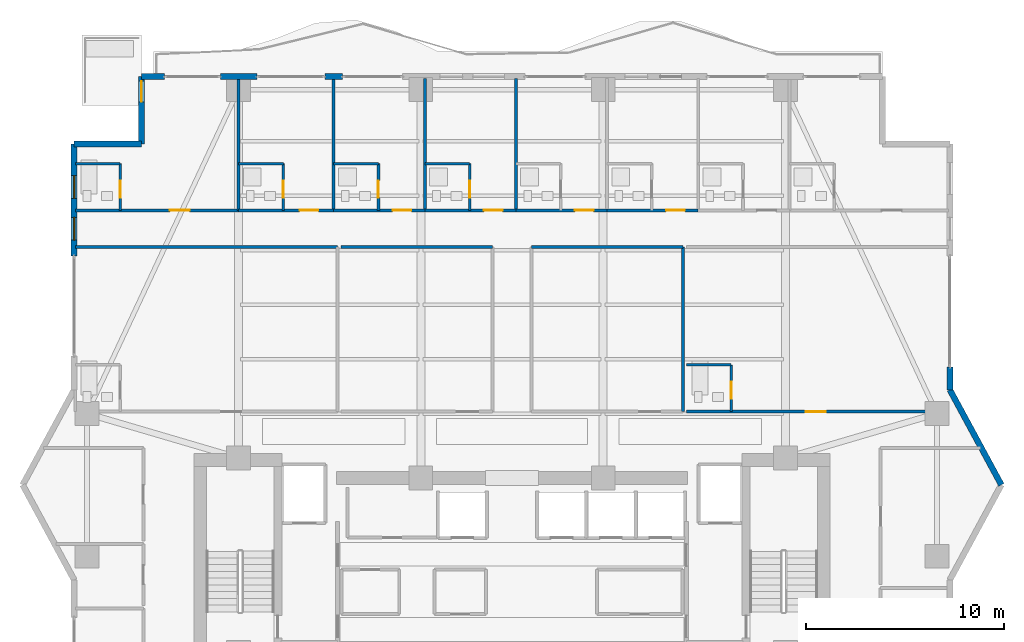
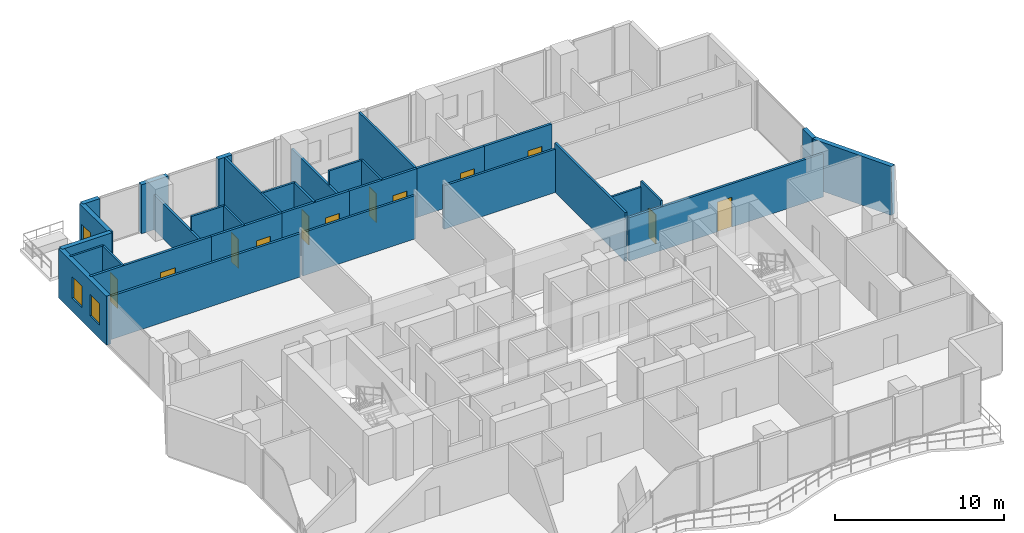
# One storey, part 27 of 32: 33 walls, 13 doors, 2 windows, 15 openings.
"""IFC4 building model written with IfcOpenShell, lengths in metres."""

import ifcopenshell
import ifcopenshell.guid

model = None  # the IFC model being written
_history = None  # IfcOwnerHistory: only IFC2X3 demands one
_inside = {}  # id of a spatial element -> (the spatial element, [elements in it])
_under = {}  # id of a project, library or spatial element -> (it, [spatial elements below it])
_declared = {}  # id of a project -> (the project, [libraries it declares])
_typed = {}  # id of a type object -> (the type object, [elements of that type])
_made_of = {}  # id of a material, layer set ... -> (it, [elements and type objects made of it])


def new_model(schema):
    """Start an empty IFC model of exactly this schema.

    Asked for "IFC4X3", IfcOpenShell would pick the latest addendum, in which some entities
    have other attributes; the version numbers below select the first issue.
    IFC2X3 requires an IfcOwnerHistory on every rooted entity: one is made here for all.
    """
    global model, _history
    if schema == "IFC4X3":
        model = ifcopenshell.file(schema_version=(4, 3, 0, 0))
    else:
        model = ifcopenshell.file(schema=schema)
    _inside.clear()
    _under.clear()
    _declared.clear()
    _typed.clear()
    _made_of.clear()
    _history = None
    if model.schema == "IFC2X3":
        org = make("IfcOrganization", Name="unknown")
        user = make(
            "IfcPersonAndOrganization",
            ThePerson=make("IfcPerson", FamilyName="unknown"),
            TheOrganization=org,
        )
        app = make(
            "IfcApplication",
            ApplicationDeveloper=org,
            Version="unknown",
            ApplicationFullName="unknown",
            ApplicationIdentifier="unknown",
        )
        _history = make(
            "IfcOwnerHistory",
            OwningUser=user,
            OwningApplication=app,
            ChangeAction="ADDED",
            CreationDate=0,
        )
    return model


def make(cls, **values):
    """One entity of the class cls with the attributes given. An attribute that is None is left unset."""
    return model.create_entity(
        cls, **{name: value for name, value in values.items() if value is not None}
    )


def rooted(cls, **values):
    """An entity with a GlobalId (a new one), such as an element, a storey or a relation."""
    return make(cls, GlobalId=ifcopenshell.guid.new(), OwnerHistory=_history, **values)


def si_unit(unit_type, name, prefix=None):
    """IfcSIUnit, for example si_unit("LENGTHUNIT", "METRE", prefix="MILLI")."""
    return make("IfcSIUnit", UnitType=unit_type, Prefix=prefix, Name=name)


def assignment(units):
    """IfcUnitAssignment: the units of a project."""
    return None if units is None else make("IfcUnitAssignment", Units=units)


def point(xyz):
    """IfcCartesianPoint."""
    return None if xyz is None else make("IfcCartesianPoint", Coordinates=xyz)


def direction(xyz):
    """IfcDirection."""
    return None if xyz is None else make("IfcDirection", DirectionRatios=xyz)


def frame(location, z_axis=None, x_axis=None):
    """IfcAxis2Placement3D, a coordinate frame: its origin and axes. An axis left out is left unset."""
    return make(
        "IfcAxis2Placement3D",
        Location=point(location),
        Axis=direction(z_axis),
        RefDirection=direction(x_axis),
    )


def frame_2d(location, x_axis=None):
    """IfcAxis2Placement2D, a coordinate frame in the plane: its origin and x axis."""
    return make(
        "IfcAxis2Placement2D", Location=point(location), RefDirection=direction(x_axis)
    )


def origin():
    """The frame at (0, 0, 0) with its axes left unset."""
    return frame((0.0, 0.0, 0.0))


def place(relative_to, where):
    """IfcLocalPlacement: puts the frame where relative to a parent placement (None: the world)."""
    return make(
        "IfcLocalPlacement", PlacementRelTo=relative_to, RelativePlacement=where
    )


def context(
    kind, dimensions, precision=None, world=None, true_north=None, identifier=None
):
    """IfcGeometricRepresentationContext, for example the 3D "Model" context."""
    return make(
        "IfcGeometricRepresentationContext",
        ContextIdentifier=identifier,
        ContextType=kind,
        CoordinateSpaceDimension=dimensions,
        Precision=precision,
        WorldCoordinateSystem=world,
        TrueNorth=true_north,
    )


def subcontext(parent, identifier, kind, view, scale=None):
    """IfcGeometricRepresentationSubContext, for example "Body" below "Model"."""
    return make(
        "IfcGeometricRepresentationSubContext",
        ContextIdentifier=identifier,
        ContextType=kind,
        ParentContext=parent,
        TargetScale=scale,
        TargetView=view,
    )


def project(units=None, contexts=None):
    """IfcProject with its units and contexts."""
    return rooted(
        "IfcProject",
        Name="project",
        RepresentationContexts=contexts,
        UnitsInContext=assignment(units),
    )


def spatial(cls, under=None, at=None, **own):
    """A site, building, storey or space (cls), placed at a placement, below another one or the project."""
    s = rooted(cls, ObjectPlacement=at, **own)
    if under is not None:
        _under.setdefault(under.id(), (under, []))[1].append(s)
    return s


def profile(cls, at=None, kind="AREA", **sizes):
    """A parametric profile (cls). Its sizes go by their IFC names, for example OverallWidth=200.0."""
    return make(cls, ProfileType=kind, Position=at, **sizes)


def rectangle(**sizes):
    """IfcRectangleProfileDef."""
    return profile("IfcRectangleProfileDef", **sizes)


def extrude(swept, where, along, depth):
    """IfcExtrudedAreaSolid: the profile swept, set in the frame where, extruded along a direction by depth."""
    return make(
        "IfcExtrudedAreaSolid",
        SweptArea=swept,
        Position=where,
        ExtrudedDirection=direction(along),
        Depth=depth,
    )


def shape(context_of_items, identifier, shape_type, items):
    """IfcShapeRepresentation: the items that make up one representation, for example the "Body"."""
    return make(
        "IfcShapeRepresentation",
        ContextOfItems=context_of_items,
        RepresentationIdentifier=identifier,
        RepresentationType=shape_type,
        Items=items,
    )


def material(Name=None, Category=None):
    """IfcMaterial."""
    return make("IfcMaterial", Name=Name, Category=Category)


def layer(
    of_material, thickness, ventilated=None, Name=None, Category=None, Priority=None
):
    """IfcMaterialLayer: one layer of a wall or slab, of a material (None: an air gap)."""
    return make(
        "IfcMaterialLayer",
        Material=of_material,
        LayerThickness=thickness,
        IsVentilated=ventilated,
        Name=Name,
        Category=Category,
        Priority=Priority,
    )


def layer_set(layers, Name=None):
    """IfcMaterialLayerSet."""
    return make("IfcMaterialLayerSet", MaterialLayers=layers, LayerSetName=Name)


def made_of(thing, what):
    """Note that an element or type object is made of a material, layer set ...; save() writes the relation."""
    if what is not None:
        _made_of.setdefault(what.id(), (what, []))[1].append(thing)
    return thing


def type_object(cls, material=None, **own):
    """A type object (cls), such as IfcWallType, which elements share."""
    return made_of(rooted(cls, **own), material)


def element(
    cls,
    number,
    at=None,
    inside=None,
    cuts=None,
    type_object=None,
    material=None,
    context=None,
    identifier="Body",
    shape_type=None,
    held_by="IfcProductDefinitionShape",
    body=None,
    shapes=None,
    **own,
):
    """One element of the class cls, such as IfcWall. Its Tag is "e" and its number.

    at: its placement. inside: the storey or other place that contains it. cuts: it is an
    opening in that element (IfcRelVoidsElement). A single representation is given by context,
    identifier, shape_type and body (its items); several are given by shapes. held_by: the class
    of the entity that holds the representations. save() writes the other relations.
    """
    e = rooted(cls, Tag="e%d" % number, ObjectPlacement=at, **own)
    if body is not None:
        shapes = [shape(context, identifier, shape_type, body)]
    if shapes is not None:
        e.Representation = make(held_by, Representations=shapes)
    if inside is not None:
        _inside.setdefault(inside.id(), (inside, []))[1].append(e)
    if cuts is not None:
        rooted(
            "IfcRelVoidsElement", RelatingBuildingElement=cuts, RelatedOpeningElement=e
        )
    if type_object is not None:
        _typed.setdefault(type_object.id(), (type_object, []))[1].append(e)
    return made_of(e, material)


def fill(opening, filler):
    """IfcRelFillsElement: the door or window that sits in an opening."""
    return rooted(
        "IfcRelFillsElement",
        RelatingOpeningElement=opening,
        RelatedBuildingElement=filler,
    )


def aggregate(whole, parts):
    """IfcRelAggregates: a whole, such as a stair, and the parts it consists of."""
    return rooted("IfcRelAggregates", RelatingObject=whole, RelatedObjects=parts)


def save(model, path):
    """Write the relations noted so far, then the file.

    IfcRelAggregates (storeys below a building ...), IfcRelContainedInSpatialStructure (elements
    in a storey), IfcRelDefinesByType, IfcRelAssociatesMaterial and IfcRelDeclares: one each for
    every whole, place, type object, material and project.
    """
    for whole, parts in _under.values():
        aggregate(whole, parts)
    for where, things in _inside.values():
        rooted(
            "IfcRelContainedInSpatialStructure",
            RelatedElements=things,
            RelatingStructure=where,
        )
    for kind, things in _typed.values():
        rooted("IfcRelDefinesByType", RelatedObjects=things, RelatingType=kind)
    for what, things in _made_of.values():
        rooted("IfcRelAssociatesMaterial", RelatedObjects=things, RelatingMaterial=what)
    for by, libraries in _declared.values():
        rooted("IfcRelDeclares", RelatingContext=by, RelatedDefinitions=libraries)
    model.write(path)


model = new_model("IFC4")

# Units and contexts
model_context = context("Model", 3, precision=1e-05, world=origin(), true_north=direction((0.0, 1.0)))
body_context = subcontext(model_context, "Body", "Model", "MODEL_VIEW")
ifc_project = project(units=[si_unit("LENGTHUNIT", "METRE"), si_unit("AREAUNIT", "SQUARE_METRE"), si_unit("VOLUMEUNIT", "CUBIC_METRE"), si_unit("PLANEANGLEUNIT", "RADIAN"), si_unit("MASSUNIT", "GRAM", prefix="KILO")], contexts=[model_context])

# Site, building, storey
site_placement = place(None, origin())
site = spatial("IfcSite", under=ifc_project, at=site_placement, CompositionType="ELEMENT")
building_placement = place(site_placement, origin())
building = spatial("IfcBuilding", under=site, at=building_placement, Name="Zuhayl Quay Hotel", CompositionType="ELEMENT")
storey_placement = place(building_placement, frame((0.0, 0.0, 226.14990234375)))
storey = spatial("IfcBuildingStorey", under=building, at=storey_placement, Name="L57", CompositionType="ELEMENT", Elevation=226.14990234375)

# Wall, openings, windows
ifc_material_1 = material(Name="Precast concrete C45/55", Category="concrete")
ifc_layer_1 = layer(ifc_material_1, 0.300048828125, Name="Precast concrete C45/55", Category="concrete")
ifc_layer_set_1 = layer_set([ifc_layer_1], Name="Precast concrete C45/55")
wall_type_1 = type_object("IfcWallType", Name="WL_EXT_300", PredefinedType="STANDARD", material=ifc_layer_set_1)
wall_1_placement = place(storey_placement, frame((-22.10009765625, 24.550048828125, 0.0), z_axis=(0.0, 0.0, 1.0), x_axis=(0.0, 1.0, 0.0)))
wall_1 = element("IfcWall", 1, at=wall_1_placement, inside=storey, type_object=wall_type_1, Name="L57 Exterior Precast Wall ENV_L57_E05_EW2", PredefinedType="STANDARD", context=body_context, shape_type="SweptSolid", body=[
    extrude(rectangle(XDim=5.64990234375, YDim=0.300048828125, at=frame_2d((2.824951171875, 0.0))), origin(), (0.0, 0.0, 1.0), 3.530029296875),
])
opening_1_placement = place(wall_1_placement, frame((0.800048828125, 0.0, 0.949951171875)))
opening_1 = element("IfcOpeningElement", 2, at=opening_1_placement, cuts=wall_1, Name="Opening W01N", PredefinedType="OPENING", context=body_context, shape_type="SweptSolid", body=[
    extrude(rectangle(XDim=1.14990234375, YDim=1.550048828125, at=frame_2d((0.574951171875, 0.77490234375))), frame((0.0, 0.159912109375, 0.0), z_axis=(0.0, -1.0, 0.0), x_axis=(1.0, 0.0, 0.0)), (0.0, 0.0, 1.0), 0.320068359375),
])
opening_2_placement = place(wall_1_placement, frame((2.905029296875, 0.0, 0.949951171875)))
opening_2 = element("IfcOpeningElement", 3, at=opening_2_placement, cuts=wall_1, Name="Opening W01N", PredefinedType="OPENING", context=body_context, shape_type="SweptSolid", body=[
    extrude(rectangle(XDim=1.14990234375, YDim=1.550048828125, at=frame_2d((0.574951171875, 0.77490234375))), frame((0.0, 0.159912109375, 0.0), z_axis=(0.0, -1.0, 0.0), x_axis=(1.0, 0.0, 0.0)), (0.0, 0.0, 1.0), 0.320068359375),
])
ifc_material_2 = material(Name="Dark Ceramic-Fritted Solar Glass", Category="glass")
window_type = type_object("IfcWindowType", Name="WN_NOTCH_1350", PartitioningType="SINGLE_PANEL", PredefinedType="WINDOW", material=ifc_material_2)
window_1_placement = place(opening_1_placement, origin())
window_1 = element("IfcWindow", 4, at=window_1_placement, inside=storey, type_object=window_type, Name="L57 Operable Facade Window 2-1", OverallHeight=1.550048828125, OverallWidth=1.14990234375, PartitioningType="SINGLE_PANEL", PredefinedType="WINDOW", context=body_context, shape_type="SweptSolid", body=[
    extrude(rectangle(XDim=1.14990234375, YDim=1.550048828125, at=frame_2d((0.574951171875, 0.77490234375))), frame((0.0, 0.030029296875, 0.0), z_axis=(0.0, -1.0, 0.0), x_axis=(1.0, 0.0, 0.0)), (0.0, 0.0, 1.0), 0.06005859375),
])
fill(opening_1, window_1)
window_2_placement = place(opening_2_placement, origin())
window_2 = element("IfcWindow", 5, at=window_2_placement, inside=storey, type_object=window_type, Name="L57 Operable Facade Window 2-2", OverallHeight=1.550048828125, OverallWidth=1.14990234375, PartitioningType="SINGLE_PANEL", PredefinedType="WINDOW", context=body_context, shape_type="SweptSolid", body=[
    extrude(rectangle(XDim=1.14990234375, YDim=1.550048828125, at=frame_2d((0.574951171875, 0.77490234375))), frame((0.0, 0.030029296875, 0.0), z_axis=(0.0, -1.0, 0.0), x_axis=(1.0, 0.0, 0.0)), (0.0, 0.0, 1.0), 0.06005859375),
])
fill(opening_2, window_2)

# Wall
wall_2_placement = place(storey_placement, frame((-22.10009765625, 30.199951171875, 0.0), z_axis=(0.0, 0.0, 1.0), x_axis=(1.0, 0.0, 0.0)))
element("IfcWall", 6, at=wall_2_placement, inside=storey, type_object=wall_type_1, Name="L57 Exterior Precast Wall ENV_L57_EW06", PredefinedType="STANDARD", context=body_context, shape_type="SweptSolid", body=[
    extrude(rectangle(XDim=3.400146484375, YDim=0.300048828125, at=frame_2d((1.7001953125, 0.0))), origin(), (0.0, 0.0, 1.0), 3.530029296875),
])

# Wall, opening, door
wall_3_placement = place(storey_placement, frame((-18.699951171875, 30.199951171875, 0.0), z_axis=(0.0, 0.0, 1.0), x_axis=(0.0, 1.0, 0.0)))
wall_3 = element("IfcWall", 7, at=wall_3_placement, inside=storey, type_object=wall_type_1, Name="L57 Exterior Precast Wall ENV_L57_SP_NW", PredefinedType="STANDARD", context=body_context, shape_type="SweptSolid", body=[
    extrude(rectangle(XDim=3.400146484375, YDim=0.300048828125, at=frame_2d((1.7001953125, 0.0))), origin(), (0.0, 0.0, 1.0), 3.530029296875),
])
opening_3_placement = place(wall_3_placement, frame((2.1298828125, 0.0, 0.0)))
opening_3 = element("IfcOpeningElement", 8, at=opening_3_placement, cuts=wall_3, Name="Opening DG1", PredefinedType="OPENING", context=body_context, shape_type="SweptSolid", body=[
    extrude(rectangle(XDim=1.050048828125, YDim=2.199951171875, at=frame_2d((0.52490234375, 1.10009765625))), frame((0.0, 0.159912109375, 0.0), z_axis=(0.0, -1.0, 0.0), x_axis=(1.0, 0.0, 0.0)), (0.0, 0.0, 1.0), 0.320068359375),
])
ifc_material_3 = material(Name="Anodised Aluminium and Dark Solar Glass", Category="aluminium")
door_type_1 = type_object("IfcDoorType", Name="DR_EXT_TERR_1050", OperationType="NOTDEFINED", PredefinedType="DOOR", material=ifc_material_3)
door_1_placement = place(opening_3_placement, origin())
door_1 = element("IfcDoor", 9, at=door_1_placement, inside=storey, type_object=door_type_1, Name="L57 Spiral Sky-Terrace NW Access Door", OperationType="SINGLE_SWING_LEFT", OverallHeight=2.199951171875, OverallWidth=1.050048828125, PredefinedType="DOOR", context=body_context, shape_type="SweptSolid", body=[
    extrude(rectangle(XDim=1.050048828125, YDim=2.199951171875, at=frame_2d((0.52490234375, 1.10009765625))), frame((0.0, 0.02490234375, 0.0), z_axis=(0.0, -1.0, 0.0), x_axis=(1.0, 0.0, 0.0)), (0.0, 0.0, 1.0), 0.050048828125),
])
fill(opening_3, door_1)

# Walls
wall_4_placement = place(storey_placement, frame((-18.699951171875, 33.60009765625, 0.0), z_axis=(0.0, 0.0, 1.0), x_axis=(1.0, 0.0, 0.0)))
element("IfcWall", 10, at=wall_4_placement, inside=storey, type_object=wall_type_1, Name="L57 Exterior Precast Wall ENV_L57_N_EW1", PredefinedType="STANDARD", context=body_context, shape_type="SweptSolid", body=[
    extrude(rectangle(XDim=1.14990234375, YDim=0.300048828125, at=frame_2d((0.574951171875, 0.0))), origin(), (0.0, 0.0, 1.0), 3.530029296875),
])
wall_5_placement = place(storey_placement, frame((-14.719970703125, 33.60009765625, 0.0), z_axis=(0.0, 0.0, 1.0), x_axis=(1.0, 0.0, 0.0)))
element("IfcWall", 11, at=wall_5_placement, inside=storey, type_object=wall_type_1, Name="L57 Exterior Precast Wall ENV_L57_N_EW2", PredefinedType="STANDARD", context=body_context, shape_type="SweptSolid", body=[
    extrude(rectangle(XDim=1.840087890625, YDim=0.300048828125, at=frame_2d((0.919921875, 0.0))), origin(), (0.0, 0.0, 1.0), 3.530029296875),
])
wall_6_placement = place(storey_placement, frame((-9.449951171875, 33.60009765625, 0.0), z_axis=(0.0, 0.0, 1.0), x_axis=(1.0, 0.0, 0.0)))
element("IfcWall", 12, at=wall_6_placement, inside=storey, type_object=wall_type_1, Name="L57 Exterior Precast Wall ENV_L57_N_EW3", PredefinedType="STANDARD", context=body_context, shape_type="SweptSolid", body=[
    extrude(rectangle(XDim=0.89990234375, YDim=0.300048828125, at=frame_2d((0.449951171875, 0.0))), origin(), (0.0, 0.0, 1.0), 3.530029296875),
])
wall_7_placement = place(storey_placement, frame((22.10009765625, 18.949951171875, 0.0), z_axis=(0.0, 0.0, 1.0), x_axis=(0.0, -1.0, 0.0)))
element("IfcWall", 13, at=wall_7_placement, inside=storey, type_object=wall_type_1, Name="L57 Exterior Precast Wall ENV_L57_E11_EW2", PredefinedType="STANDARD", context=body_context, shape_type="SweptSolid", body=[
    extrude(rectangle(XDim=1.14990234375, YDim=0.300048828125, at=frame_2d((0.574951171875, 0.0))), origin(), (0.0, 0.0, 1.0), 3.530029296875),
])
wall_8_placement = place(storey_placement, frame((22.10009765625, 17.800048828125, 0.0), z_axis=(0.0, 0.0, 1.0), x_axis=(0.476258655584, -0.879305233114, 0.0)))
element("IfcWall", 14, at=wall_8_placement, inside=storey, type_object=wall_type_1, Name="L57 Exterior Precast Wall ENV_L57_EW12", PredefinedType="STANDARD", context=body_context, shape_type="SweptSolid", body=[
    extrude(rectangle(XDim=5.458984375, YDim=0.300048828125, at=frame_2d((2.7294921875, 0.0))), origin(), (0.0, 0.0, 1.0), 3.530029296875),
])
ifc_material_4 = material(Name="Acoustic Gypsum Partition STC-58")
ifc_layer_2 = layer(ifc_material_4, 0.14990234375, Name="Acoustic Gypsum Partition STC-58")
ifc_layer_set_2 = layer_set([ifc_layer_2], Name="Acoustic Gypsum Partition STC-58")
wall_type_2 = type_object("IfcWallType", Name="WL_PART_150", PredefinedType="PARTITIONING", material=ifc_layer_set_2)
wall_9_placement = place(storey_placement, frame((-13.800048828125, 26.85009765625, 0.0), z_axis=(0.0, 0.0, 1.0), x_axis=(0.0, 1.0, 0.0)))
element("IfcWall", 15, at=wall_9_placement, inside=storey, type_object=wall_type_2, Name="L57 Partition IW_L57_NU01_E", PredefinedType="PARTITIONING", context=body_context, shape_type="SweptSolid", body=[
    extrude(rectangle(XDim=6.669921875, YDim=0.14990234375, at=frame_2d((3.3349609375, 0.0))), origin(), (0.0, 0.0, 1.0), 2.51904296875),
])
wall_10_placement = place(storey_placement, frame((-9.0, 26.85009765625, 0.0), z_axis=(0.0, 0.0, 1.0), x_axis=(0.0, 1.0, 0.0)))
element("IfcWall", 16, at=wall_10_placement, inside=storey, type_object=wall_type_2, Name="L57 Partition IW_L57_NU02_E", PredefinedType="PARTITIONING", context=body_context, shape_type="SweptSolid", body=[
    extrude(rectangle(XDim=6.669921875, YDim=0.14990234375, at=frame_2d((3.3349609375, 0.0))), origin(), (0.0, 0.0, 1.0), 3.530029296875),
])
wall_11_placement = place(storey_placement, frame((-4.39990234375, 26.85009765625, 0.0), z_axis=(0.0, 0.0, 1.0), x_axis=(0.0, 1.0, 0.0)))
element("IfcWall", 17, at=wall_11_placement, inside=storey, type_object=wall_type_2, Name="L57 Partition IW_L57_NU03_E", PredefinedType="PARTITIONING", context=body_context, shape_type="SweptSolid", body=[
    extrude(rectangle(XDim=6.669921875, YDim=0.14990234375, at=frame_2d((3.3349609375, 0.0))), origin(), (0.0, 0.0, 1.0), 2.51904296875),
])
wall_12_placement = place(storey_placement, frame((0.199951171875, 26.85009765625, 0.0), z_axis=(0.0, 0.0, 1.0), x_axis=(0.0, 1.0, 0.0)))
element("IfcWall", 18, at=wall_12_placement, inside=storey, type_object=wall_type_2, Name="L57 Partition IW_L57_NU04_E", PredefinedType="PARTITIONING", context=body_context, shape_type="SweptSolid", body=[
    extrude(rectangle(XDim=6.669921875, YDim=0.14990234375, at=frame_2d((3.3349609375, 0.0))), origin(), (0.0, 0.0, 1.0), 3.530029296875),
])
for number, where, z_axis, x_axis, name in (
    (19, (-8.639892578125, 25.0, 0.0), (0.0, 0.0, 1.0), (1.0, 0.0, 0.0), "L57 Partition IW_L57_Z3_MID_W_N"),
    (20, (0.97998046875, 25.0, 0.0), (0.0, 0.0, 1.0), (1.0, 0.0, 0.0), "L57 Partition IW_L57_Z3_MID_E_N"),
):
    element("IfcWall", number, at=place(storey_placement, frame(where, z_axis=z_axis, x_axis=x_axis)), inside=storey, type_object=wall_type_2, Name=name, PredefinedType="PARTITIONING", context=body_context, shape_type="SweptSolid", body=[
        extrude(rectangle(XDim=7.659912109375, YDim=0.14990234375, at=frame_2d((3.830078125, 0.0))), origin(), (0.0, 0.0, 1.0), 3.1240234375),
    ])
wall_13_placement = place(storey_placement, frame((8.639892578125, 16.699951171875, 0.0), z_axis=(0.0, 0.0, 1.0), x_axis=(0.0, 1.0, 0.0)))
element("IfcWall", 21, at=wall_13_placement, inside=storey, type_object=wall_type_2, Name="L57 Partition IW_L57_Z3_MID_E_E", PredefinedType="PARTITIONING", context=body_context, shape_type="SweptSolid", body=[
    extrude(rectangle(XDim=8.300048828125, YDim=0.14990234375, at=frame_2d((4.14990234375, 0.0))), origin(), (0.0, 0.0, 1.0), 3.530029296875),
])

# Wall, opening, door
ifc_layer_3 = layer(ifc_material_4, 0.159912109375, Name="Acoustic Gypsum Partition STC-58")
ifc_layer_set_3 = layer_set([ifc_layer_3], Name="Acoustic Gypsum Partition STC-58")
wall_type_3 = type_object("IfcWallType", Name="WL_PART_CORR_160", PredefinedType="PARTITIONING", material=ifc_layer_set_3)
wall_14_placement = place(storey_placement, frame((-22.0400390625, 26.85009765625, 0.0), z_axis=(0.0, 0.0, 1.0), x_axis=(1.0, 0.0, 0.0)))
wall_14 = element("IfcWall", 22, at=wall_14_placement, inside=storey, type_object=wall_type_3, Name="L57 Partition IW_L57_NU01_COR", PredefinedType="PARTITIONING", context=body_context, shape_type="SweptSolid", body=[
    extrude(rectangle(XDim=8.239990234375, YDim=0.159912109375, at=frame_2d((4.1201171875, 0.0))), origin(), (0.0, 0.0, 1.0), 3.530029296875),
])
opening_4_placement = place(wall_14_placement, frame((4.77001953125, 0.0, 0.0)))
opening_4 = element("IfcOpeningElement", 23, at=opening_4_placement, cuts=wall_14, Name="Opening D03L", PredefinedType="OPENING", context=body_context, shape_type="SweptSolid", body=[
    extrude(rectangle(XDim=1.0, YDim=2.14990234375, at=frame_2d((0.5, 1.074951171875))), frame((0.0, 0.08984375, 0.0), z_axis=(0.0, -1.0, 0.0), x_axis=(1.0, 0.0, 0.0)), (0.0, 0.0, 1.0), 0.179931640625),
])
ifc_material_5 = material(Name="Solid Walnut Acoustic Fire Door")
door_type_2 = type_object("IfcDoorType", Name="DR_SUITE_1000", OperationType="NOTDEFINED", PredefinedType="DOOR", material=ifc_material_5)
door_2_placement = place(opening_4_placement, origin())
door_2 = element("IfcDoor", 24, at=door_2_placement, inside=storey, type_object=door_type_2, Name="L57 Panoramic Gulf Guest Room L57-01 Entrance Door", OperationType="SINGLE_SWING_LEFT", OverallHeight=2.14990234375, OverallWidth=1.0, PredefinedType="DOOR", context=body_context, shape_type="SweptSolid", body=[
    extrude(rectangle(XDim=1.0, YDim=2.14990234375, at=frame_2d((0.5, 1.074951171875))), frame((0.0, 0.02490234375, 0.0), z_axis=(0.0, -1.0, 0.0), x_axis=(1.0, 0.0, 0.0)), (0.0, 0.0, 1.0), 0.050048828125),
])
fill(opening_4, door_2)

wall_15_placement = place(storey_placement, frame((-13.800048828125, 26.85009765625, 0.0), z_axis=(0.0, 0.0, 1.0), x_axis=(1.0, 0.0, 0.0)))
wall_15 = element("IfcWall", 25, at=wall_15_placement, inside=storey, type_object=wall_type_3, Name="L57 Partition IW_L57_NU02_COR", PredefinedType="PARTITIONING", context=body_context, shape_type="SweptSolid", body=[
    extrude(rectangle(XDim=4.800048828125, YDim=0.159912109375, at=frame_2d((2.39990234375, 0.0))), origin(), (0.0, 0.0, 1.0), 3.530029296875),
])
opening_5_placement = place(wall_15_placement, frame((3.074951171875, 0.0, 0.0)))
opening_5 = element("IfcOpeningElement", 26, at=opening_5_placement, cuts=wall_15, Name="Opening D03", PredefinedType="OPENING", context=body_context, shape_type="SweptSolid", body=[
    extrude(rectangle(XDim=0.949951171875, YDim=2.14990234375, at=frame_2d((0.47509765625, 1.074951171875))), frame((0.0, 0.08984375, 0.0), z_axis=(0.0, -1.0, 0.0), x_axis=(1.0, 0.0, 0.0)), (0.0, 0.0, 1.0), 0.179931640625),
])
door_type_3 = type_object("IfcDoorType", Name="DR_SUITE_950", OperationType="NOTDEFINED", PredefinedType="DOOR", material=ifc_material_5)
door_3_placement = place(opening_5_placement, origin())
door_3 = element("IfcDoor", 27, at=door_3_placement, inside=storey, type_object=door_type_3, Name="L57 Panoramic Gulf Guest Room L57-02 Entrance Door", OperationType="SINGLE_SWING_LEFT", OverallHeight=2.14990234375, OverallWidth=0.949951171875, PredefinedType="DOOR", context=body_context, shape_type="SweptSolid", body=[
    extrude(rectangle(XDim=0.949951171875, YDim=2.14990234375, at=frame_2d((0.47509765625, 1.074951171875))), frame((0.0, 0.02490234375, 0.0), z_axis=(0.0, -1.0, 0.0), x_axis=(1.0, 0.0, 0.0)), (0.0, 0.0, 1.0), 0.050048828125),
])
fill(opening_5, door_3)

wall_16_placement = place(storey_placement, frame((-9.0, 26.85009765625, 0.0), z_axis=(0.0, 0.0, 1.0), x_axis=(1.0, 0.0, 0.0)))
wall_16 = element("IfcWall", 28, at=wall_16_placement, inside=storey, type_object=wall_type_3, Name="L57 Partition IW_L57_NU03_COR", PredefinedType="PARTITIONING", context=body_context, shape_type="SweptSolid", body=[
    extrude(rectangle(XDim=4.60009765625, YDim=0.159912109375, at=frame_2d((2.300048828125, 0.0))), origin(), (0.0, 0.0, 1.0), 3.530029296875),
])
opening_6_placement = place(wall_16_placement, frame((2.97509765625, 0.0, 0.0)))
opening_6 = element("IfcOpeningElement", 29, at=opening_6_placement, cuts=wall_16, Name="Opening D03", PredefinedType="OPENING", context=body_context, shape_type="SweptSolid", body=[
    extrude(rectangle(XDim=0.949951171875, YDim=2.14990234375, at=frame_2d((0.47509765625, 1.074951171875))), frame((0.0, 0.08984375, 0.0), z_axis=(0.0, -1.0, 0.0), x_axis=(1.0, 0.0, 0.0)), (0.0, 0.0, 1.0), 0.179931640625),
])
door_4_placement = place(opening_6_placement, origin())
door_4 = element("IfcDoor", 30, at=door_4_placement, inside=storey, type_object=door_type_3, Name="L57 Panoramic Gulf Guest Room L57-03 Entrance Door", OperationType="SINGLE_SWING_LEFT", OverallHeight=2.14990234375, OverallWidth=0.949951171875, PredefinedType="DOOR", context=body_context, shape_type="SweptSolid", body=[
    extrude(rectangle(XDim=0.949951171875, YDim=2.14990234375, at=frame_2d((0.47509765625, 1.074951171875))), frame((0.0, 0.02490234375, 0.0), z_axis=(0.0, -1.0, 0.0), x_axis=(1.0, 0.0, 0.0)), (0.0, 0.0, 1.0), 0.050048828125),
])
fill(opening_6, door_4)

wall_17_placement = place(storey_placement, frame((-4.39990234375, 26.85009765625, 0.0), z_axis=(0.0, 0.0, 1.0), x_axis=(1.0, 0.0, 0.0)))
wall_17 = element("IfcWall", 31, at=wall_17_placement, inside=storey, type_object=wall_type_3, Name="L57 Partition IW_L57_NU04_COR", PredefinedType="PARTITIONING", context=body_context, shape_type="SweptSolid", body=[
    extrude(rectangle(XDim=4.599853515625, YDim=0.159912109375, at=frame_2d((2.2998046875, 0.0))), origin(), (0.0, 0.0, 1.0), 3.530029296875),
])
opening_7_placement = place(wall_17_placement, frame((2.97509765625, 0.0, 0.0)))
opening_7 = element("IfcOpeningElement", 32, at=opening_7_placement, cuts=wall_17, Name="Opening D03", PredefinedType="OPENING", context=body_context, shape_type="SweptSolid", body=[
    extrude(rectangle(XDim=0.949951171875, YDim=2.14990234375, at=frame_2d((0.47509765625, 1.074951171875))), frame((0.0, 0.08984375, 0.0), z_axis=(0.0, -1.0, 0.0), x_axis=(1.0, 0.0, 0.0)), (0.0, 0.0, 1.0), 0.179931640625),
])
door_5_placement = place(opening_7_placement, origin())
door_5 = element("IfcDoor", 33, at=door_5_placement, inside=storey, type_object=door_type_3, Name="L57 Panoramic Gulf Guest Room L57-04 Entrance Door", OperationType="SINGLE_SWING_LEFT", OverallHeight=2.14990234375, OverallWidth=0.949951171875, PredefinedType="DOOR", context=body_context, shape_type="SweptSolid", body=[
    extrude(rectangle(XDim=0.949951171875, YDim=2.14990234375, at=frame_2d((0.47509765625, 1.074951171875))), frame((0.0, 0.02490234375, 0.0), z_axis=(0.0, -1.0, 0.0), x_axis=(1.0, 0.0, 0.0)), (0.0, 0.0, 1.0), 0.050048828125),
])
fill(opening_7, door_5)

wall_18_placement = place(storey_placement, frame((0.199951171875, 26.85009765625, 0.0), z_axis=(0.0, 0.0, 1.0), x_axis=(1.0, 0.0, 0.0)))
wall_18 = element("IfcWall", 34, at=wall_18_placement, inside=storey, type_object=wall_type_3, Name="L57 Partition IW_L57_NU05_COR", PredefinedType="PARTITIONING", context=body_context, shape_type="SweptSolid", body=[
    extrude(rectangle(XDim=4.60009765625, YDim=0.159912109375, at=frame_2d((2.300048828125, 0.0))), origin(), (0.0, 0.0, 1.0), 3.530029296875),
])
opening_8_placement = place(wall_18_placement, frame((2.97509765625, 0.0, 0.0)))
opening_8 = element("IfcOpeningElement", 35, at=opening_8_placement, cuts=wall_18, Name="Opening D03", PredefinedType="OPENING", context=body_context, shape_type="SweptSolid", body=[
    extrude(rectangle(XDim=0.949951171875, YDim=2.14990234375, at=frame_2d((0.47509765625, 1.074951171875))), frame((0.0, 0.08984375, 0.0), z_axis=(0.0, -1.0, 0.0), x_axis=(1.0, 0.0, 0.0)), (0.0, 0.0, 1.0), 0.179931640625),
])
door_6_placement = place(opening_8_placement, origin())
door_6 = element("IfcDoor", 36, at=door_6_placement, inside=storey, type_object=door_type_3, Name="L57 Panoramic Gulf Guest Room L57-05 Entrance Door", OperationType="SINGLE_SWING_LEFT", OverallHeight=2.14990234375, OverallWidth=0.949951171875, PredefinedType="DOOR", context=body_context, shape_type="SweptSolid", body=[
    extrude(rectangle(XDim=0.949951171875, YDim=2.14990234375, at=frame_2d((0.47509765625, 1.074951171875))), frame((0.0, 0.02490234375, 0.0), z_axis=(0.0, -1.0, 0.0), x_axis=(1.0, 0.0, 0.0)), (0.0, 0.0, 1.0), 0.050048828125),
])
fill(opening_8, door_6)

wall_19_placement = place(storey_placement, frame((4.800048828125, 26.85009765625, 0.0), z_axis=(0.0, 0.0, 1.0), x_axis=(1.0, 0.0, 0.0)))
wall_19 = element("IfcWall", 37, at=wall_19_placement, inside=storey, type_object=wall_type_3, Name="L57 Partition IW_L57_NU06_COR", PredefinedType="PARTITIONING", context=body_context, shape_type="SweptSolid", body=[
    extrude(rectangle(XDim=4.599853515625, YDim=0.159912109375, at=frame_2d((2.2998046875, 0.0))), origin(), (0.0, 0.0, 1.0), 3.530029296875),
])
opening_9_placement = place(wall_19_placement, frame((2.97509765625, 0.0, 0.0)))
opening_9 = element("IfcOpeningElement", 38, at=opening_9_placement, cuts=wall_19, Name="Opening D03", PredefinedType="OPENING", context=body_context, shape_type="SweptSolid", body=[
    extrude(rectangle(XDim=0.949951171875, YDim=2.14990234375, at=frame_2d((0.47509765625, 1.074951171875))), frame((0.0, 0.08984375, 0.0), z_axis=(0.0, -1.0, 0.0), x_axis=(1.0, 0.0, 0.0)), (0.0, 0.0, 1.0), 0.179931640625),
])
door_7_placement = place(opening_9_placement, origin())
door_7 = element("IfcDoor", 39, at=door_7_placement, inside=storey, type_object=door_type_3, Name="L57 Panoramic Gulf Guest Room L57-06 Entrance Door", OperationType="SINGLE_SWING_LEFT", OverallHeight=2.14990234375, OverallWidth=0.949951171875, PredefinedType="DOOR", context=body_context, shape_type="SweptSolid", body=[
    extrude(rectangle(XDim=0.949951171875, YDim=2.14990234375, at=frame_2d((0.47509765625, 1.074951171875))), frame((0.0, 0.02490234375, 0.0), z_axis=(0.0, -1.0, 0.0), x_axis=(1.0, 0.0, 0.0)), (0.0, 0.0, 1.0), 0.050048828125),
])
fill(opening_9, door_7)

wall_20_placement = place(storey_placement, frame((8.800048828125, 16.699951171875, 0.0), z_axis=(0.0, 0.0, 1.0), x_axis=(1.0, 0.0, 0.0)))
wall_20 = element("IfcWall", 40, at=wall_20_placement, inside=storey, type_object=wall_type_3, Name="L57 Partition IW_L57_MU04_COR", PredefinedType="PARTITIONING", context=body_context, shape_type="SweptSolid", body=[
    extrude(rectangle(XDim=13.239990234375, YDim=0.159912109375, at=frame_2d((6.6201171875, 0.0))), origin(), (0.0, 0.0, 1.0), 3.1240234375),
])
opening_10_placement = place(wall_20_placement, frame((6.02490234375, 0.0, 0.0)))
opening_10 = element("IfcOpeningElement", 41, at=opening_10_placement, cuts=wall_20, Name="Opening D03L", PredefinedType="OPENING", context=body_context, shape_type="SweptSolid", body=[
    extrude(rectangle(XDim=1.0, YDim=2.14990234375, at=frame_2d((0.5, 1.074951171875))), frame((0.0, 0.08984375, 0.0), z_axis=(0.0, -1.0, 0.0), x_axis=(1.0, 0.0, 0.0)), (0.0, 0.0, 1.0), 0.179931640625),
])
door_8_placement = place(opening_10_placement, origin())
door_8 = element("IfcDoor", 42, at=door_8_placement, inside=storey, type_object=door_type_2, Name="L57 Club Junior Suite L57-M4 Entrance Door", OperationType="SINGLE_SWING_LEFT", OverallHeight=2.14990234375, OverallWidth=1.0, PredefinedType="DOOR", context=body_context, shape_type="SweptSolid", body=[
    extrude(rectangle(XDim=1.0, YDim=2.14990234375, at=frame_2d((0.5, 1.074951171875))), frame((0.0, 0.02490234375, 0.0), z_axis=(0.0, -1.0, 0.0), x_axis=(1.0, 0.0, 0.0)), (0.0, 0.0, 1.0), 0.050048828125),
])
fill(opening_10, door_8)

# Wall
wall_21_placement = place(storey_placement, frame((-22.0400390625, 25.0, 0.0), z_axis=(0.0, 0.0, 1.0), x_axis=(1.0, 0.0, 0.0)))
element("IfcWall", 43, at=wall_21_placement, inside=storey, type_object=wall_type_3, Name="L57 Partition IW_L57_MU01_BK", PredefinedType="PARTITIONING", context=body_context, shape_type="SweptSolid", body=[
    extrude(rectangle(XDim=13.239990234375, YDim=0.159912109375, at=frame_2d((6.6201171875, 0.0))), origin(), (0.0, 0.0, 1.0), 3.1240234375),
])

# Wall, opening, door
ifc_material_6 = material(Name="Moisture-Resistant Sanitarychase Gypsum")
ifc_layer_4 = layer(ifc_material_6, 0.135009765625, Name="Moisture-Resistant Sanitarychase Gypsum")
ifc_layer_set_4 = layer_set([ifc_layer_4], Name="Moisture-Resistant Sanitarychase Gypsum")
wall_type_4 = type_object("IfcWallType", Name="WL_PART_PLUMB_150", PredefinedType="PLUMBINGWALL", material=ifc_layer_set_4)
wall_22_placement = place(storey_placement, frame((-19.780029296875, 26.85009765625, 0.0), z_axis=(0.0, 0.0, 1.0), x_axis=(0.0, 1.0, 0.0)))
wall_22 = element("IfcWall", 44, at=wall_22_placement, inside=storey, type_object=wall_type_4, Name="L57 Partition IW_L57_NU01_BE", PredefinedType="PLUMBINGWALL", context=body_context, shape_type="SweptSolid", body=[
    extrude(rectangle(XDim=2.35986328125, YDim=0.135009765625, at=frame_2d((1.179931640625, 0.0))), origin(), (0.0, 0.0, 1.0), 3.530029296875),
])
opening_11_placement = place(wall_22_placement, frame((0.64990234375, 0.0, 0.0)))
opening_11 = element("IfcOpeningElement", 45, at=opening_11_placement, cuts=wall_22, Name="Opening D04", PredefinedType="OPENING", context=body_context, shape_type="SweptSolid", body=[
    extrude(rectangle(XDim=0.85009765625, YDim=2.10009765625, at=frame_2d((0.425048828125, 1.050048828125))), frame((0.0, 0.077392578125, 0.0), z_axis=(0.0, -1.0, 0.0), x_axis=(1.0, 0.0, 0.0)), (0.0, 0.0, 1.0), 0.155029296875),
])
ifc_material_7 = material(Name="Moisture-Resistant Walnut Veneer")
door_type_4 = type_object("IfcDoorType", Name="DR_BATH_850", OperationType="NOTDEFINED", PredefinedType="DOOR", material=ifc_material_7)
door_9_placement = place(opening_11_placement, origin())
door_9 = element("IfcDoor", 46, at=door_9_placement, inside=storey, type_object=door_type_4, Name="L57 Panoramic Gulf Guest Room L57-01 En-Suite Door", OperationType="SINGLE_SWING_RIGHT", OverallHeight=2.10009765625, OverallWidth=0.85009765625, PredefinedType="DOOR", context=body_context, shape_type="SweptSolid", body=[
    extrude(rectangle(XDim=0.85009765625, YDim=2.10009765625, at=frame_2d((0.425048828125, 1.050048828125))), frame((0.0, 0.02490234375, 0.0), z_axis=(0.0, -1.0, 0.0), x_axis=(1.0, 0.0, 0.0)), (0.0, 0.0, 1.0), 0.050048828125),
])
fill(opening_11, door_9)

wall_23_placement = place(storey_placement, frame((-11.5400390625, 26.85009765625, 0.0), z_axis=(0.0, 0.0, 1.0), x_axis=(0.0, 1.0, 0.0)))
wall_23 = element("IfcWall", 47, at=wall_23_placement, inside=storey, type_object=wall_type_4, Name="L57 Partition IW_L57_NU02_BE", PredefinedType="PLUMBINGWALL", context=body_context, shape_type="SweptSolid", body=[
    extrude(rectangle(XDim=2.35986328125, YDim=0.135009765625, at=frame_2d((1.179931640625, 0.0))), origin(), (0.0, 0.0, 1.0), 3.530029296875),
])
opening_12_placement = place(wall_23_placement, frame((0.64990234375, 0.0, 0.0)))
opening_12 = element("IfcOpeningElement", 48, at=opening_12_placement, cuts=wall_23, Name="Opening D04", PredefinedType="OPENING", context=body_context, shape_type="SweptSolid", body=[
    extrude(rectangle(XDim=0.85009765625, YDim=2.10009765625, at=frame_2d((0.425048828125, 1.050048828125))), frame((0.0, 0.077392578125, 0.0), z_axis=(0.0, -1.0, 0.0), x_axis=(1.0, 0.0, 0.0)), (0.0, 0.0, 1.0), 0.155029296875),
])
door_10_placement = place(opening_12_placement, origin())
door_10 = element("IfcDoor", 49, at=door_10_placement, inside=storey, type_object=door_type_4, Name="L57 Panoramic Gulf Guest Room L57-02 En-Suite Door", OperationType="SINGLE_SWING_RIGHT", OverallHeight=2.10009765625, OverallWidth=0.85009765625, PredefinedType="DOOR", context=body_context, shape_type="SweptSolid", body=[
    extrude(rectangle(XDim=0.85009765625, YDim=2.10009765625, at=frame_2d((0.425048828125, 1.050048828125))), frame((0.0, 0.02490234375, 0.0), z_axis=(0.0, -1.0, 0.0), x_axis=(1.0, 0.0, 0.0)), (0.0, 0.0, 1.0), 0.050048828125),
])
fill(opening_12, door_10)

wall_24_placement = place(storey_placement, frame((-6.739990234375, 26.85009765625, 0.0), z_axis=(0.0, 0.0, 1.0), x_axis=(0.0, 1.0, 0.0)))
wall_24 = element("IfcWall", 50, at=wall_24_placement, inside=storey, type_object=wall_type_4, Name="L57 Partition IW_L57_NU03_BE", PredefinedType="PLUMBINGWALL", context=body_context, shape_type="SweptSolid", body=[
    extrude(rectangle(XDim=2.35986328125, YDim=0.135009765625, at=frame_2d((1.179931640625, 0.0))), origin(), (0.0, 0.0, 1.0), 3.530029296875),
])
opening_13_placement = place(wall_24_placement, frame((0.64990234375, 0.0, 0.0)))
opening_13 = element("IfcOpeningElement", 51, at=opening_13_placement, cuts=wall_24, Name="Opening D04", PredefinedType="OPENING", context=body_context, shape_type="SweptSolid", body=[
    extrude(rectangle(XDim=0.85009765625, YDim=2.10009765625, at=frame_2d((0.425048828125, 1.050048828125))), frame((0.0, 0.077392578125, 0.0), z_axis=(0.0, -1.0, 0.0), x_axis=(1.0, 0.0, 0.0)), (0.0, 0.0, 1.0), 0.155029296875),
])
door_11_placement = place(opening_13_placement, origin())
door_11 = element("IfcDoor", 52, at=door_11_placement, inside=storey, type_object=door_type_4, Name="L57 Panoramic Gulf Guest Room L57-03 En-Suite Door", OperationType="SINGLE_SWING_RIGHT", OverallHeight=2.10009765625, OverallWidth=0.85009765625, PredefinedType="DOOR", context=body_context, shape_type="SweptSolid", body=[
    extrude(rectangle(XDim=0.85009765625, YDim=2.10009765625, at=frame_2d((0.425048828125, 1.050048828125))), frame((0.0, 0.02490234375, 0.0), z_axis=(0.0, -1.0, 0.0), x_axis=(1.0, 0.0, 0.0)), (0.0, 0.0, 1.0), 0.050048828125),
])
fill(opening_13, door_11)

wall_25_placement = place(storey_placement, frame((-2.139892578125, 26.85009765625, 0.0), z_axis=(0.0, 0.0, 1.0), x_axis=(0.0, 1.0, 0.0)))
wall_25 = element("IfcWall", 53, at=wall_25_placement, inside=storey, type_object=wall_type_4, Name="L57 Partition IW_L57_NU04_BE", PredefinedType="PLUMBINGWALL", context=body_context, shape_type="SweptSolid", body=[
    extrude(rectangle(XDim=2.35986328125, YDim=0.135009765625, at=frame_2d((1.179931640625, 0.0))), origin(), (0.0, 0.0, 1.0), 3.530029296875),
])
opening_14_placement = place(wall_25_placement, frame((0.64990234375, 0.0, 0.0)))
opening_14 = element("IfcOpeningElement", 54, at=opening_14_placement, cuts=wall_25, Name="Opening D04", PredefinedType="OPENING", context=body_context, shape_type="SweptSolid", body=[
    extrude(rectangle(XDim=0.85009765625, YDim=2.10009765625, at=frame_2d((0.425048828125, 1.050048828125))), frame((0.0, 0.077392578125, 0.0), z_axis=(0.0, -1.0, 0.0), x_axis=(1.0, 0.0, 0.0)), (0.0, 0.0, 1.0), 0.155029296875),
])
door_12_placement = place(opening_14_placement, origin())
door_12 = element("IfcDoor", 55, at=door_12_placement, inside=storey, type_object=door_type_4, Name="L57 Panoramic Gulf Guest Room L57-04 En-Suite Door", OperationType="SINGLE_SWING_RIGHT", OverallHeight=2.10009765625, OverallWidth=0.85009765625, PredefinedType="DOOR", context=body_context, shape_type="SweptSolid", body=[
    extrude(rectangle(XDim=0.85009765625, YDim=2.10009765625, at=frame_2d((0.425048828125, 1.050048828125))), frame((0.0, 0.02490234375, 0.0), z_axis=(0.0, -1.0, 0.0), x_axis=(1.0, 0.0, 0.0)), (0.0, 0.0, 1.0), 0.050048828125),
])
fill(opening_14, door_12)

wall_26_placement = place(storey_placement, frame((11.06005859375, 16.699951171875, 0.0), z_axis=(0.0, 0.0, 1.0), x_axis=(0.0, 1.0, 0.0)))
wall_26 = element("IfcWall", 56, at=wall_26_placement, inside=storey, type_object=wall_type_4, Name="L57 Partition IW_L57_MU04_BE", PredefinedType="PLUMBINGWALL", context=body_context, shape_type="SweptSolid", body=[
    extrude(rectangle(XDim=2.360107421875, YDim=0.135009765625, at=frame_2d((1.18017578125, 0.0))), origin(), (0.0, 0.0, 1.0), 3.530029296875),
])
opening_15_placement = place(wall_26_placement, frame((0.64990234375, 0.0, 0.0)))
opening_15 = element("IfcOpeningElement", 57, at=opening_15_placement, cuts=wall_26, Name="Opening D04", PredefinedType="OPENING", context=body_context, shape_type="SweptSolid", body=[
    extrude(rectangle(XDim=0.85009765625, YDim=2.10009765625, at=frame_2d((0.425048828125, 1.050048828125))), frame((0.0, 0.077392578125, 0.0), z_axis=(0.0, -1.0, 0.0), x_axis=(1.0, 0.0, 0.0)), (0.0, 0.0, 1.0), 0.155029296875),
])
door_13_placement = place(opening_15_placement, origin())
door_13 = element("IfcDoor", 58, at=door_13_placement, inside=storey, type_object=door_type_4, Name="L57 Club Junior Suite L57-M4 En-Suite Door", OperationType="SINGLE_SWING_RIGHT", OverallHeight=2.10009765625, OverallWidth=0.85009765625, PredefinedType="DOOR", context=body_context, shape_type="SweptSolid", body=[
    extrude(rectangle(XDim=0.85009765625, YDim=2.10009765625, at=frame_2d((0.425048828125, 1.050048828125))), frame((0.0, 0.02490234375, 0.0), z_axis=(0.0, -1.0, 0.0), x_axis=(1.0, 0.0, 0.0)), (0.0, 0.0, 1.0), 0.050048828125),
])
fill(opening_15, door_13)

# Walls
for number, where, z_axis, x_axis, name in (
    (59, (-22.0400390625, 29.2099609375, 0.0), (0.0, 0.0, 1.0), (1.0, 0.0, 0.0), "L57 Partition IW_L57_NU01_BN"),
    (60, (-13.800048828125, 29.2099609375, 0.0), (0.0, 0.0, 1.0), (1.0, 0.0, 0.0), "L57 Partition IW_L57_NU02_BN"),
    (61, (-9.0, 29.2099609375, 0.0), (0.0, 0.0, 1.0), (1.0, 0.0, 0.0), "L57 Partition IW_L57_NU03_BN"),
    (62, (-4.39990234375, 29.2099609375, 0.0), (0.0, 0.0, 1.0), (1.0, 0.0, 0.0), "L57 Partition IW_L57_NU04_BN"),
):
    element("IfcWall", number, at=place(storey_placement, frame(where, z_axis=z_axis, x_axis=x_axis)), inside=storey, type_object=wall_type_4, Name=name, PredefinedType="PLUMBINGWALL", context=body_context, shape_type="SweptSolid", body=[
        extrude(rectangle(XDim=2.260009765625, YDim=0.135009765625, at=frame_2d((1.1298828125, 0.0))), origin(), (0.0, 0.0, 1.0), 3.530029296875),
    ])
wall_27_placement = place(storey_placement, frame((8.800048828125, 19.06005859375, 0.0), z_axis=(0.0, 0.0, 1.0), x_axis=(1.0, 0.0, 0.0)))
element("IfcWall", 63, at=wall_27_placement, inside=storey, type_object=wall_type_4, Name="L57 Partition IW_L57_MU04_BN", PredefinedType="PLUMBINGWALL", context=body_context, shape_type="SweptSolid", body=[
    extrude(rectangle(XDim=2.260009765625, YDim=0.135009765625, at=frame_2d((1.1298828125, 0.0))), origin(), (0.0, 0.0, 1.0), 3.1240234375),
])

save(model, "model.ifc")
